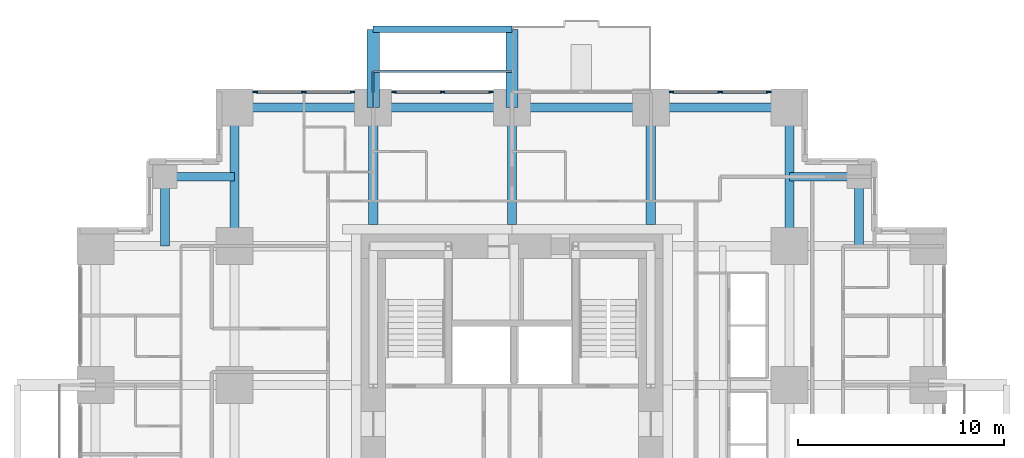
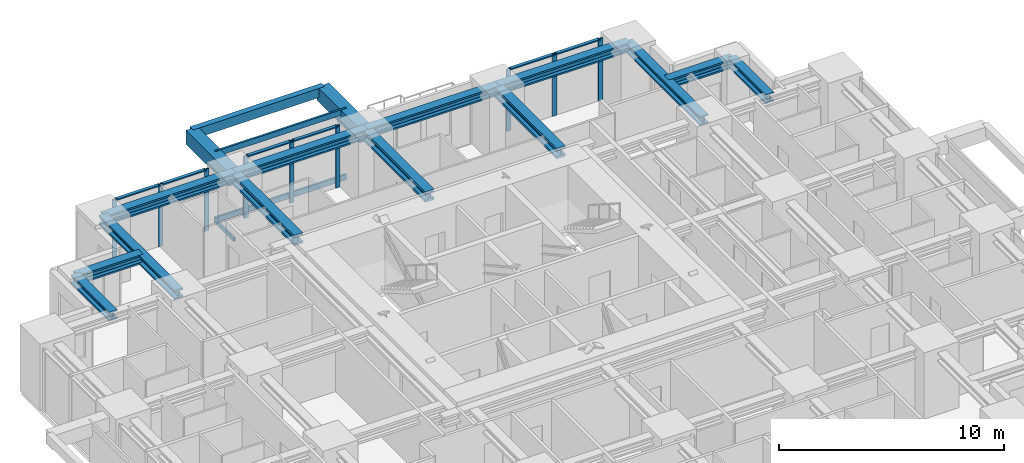
# One storey, part 5 of 12: 18 members, 16 beams, 3 elements without a shape of their own.
"""IFC4 building model written with IfcOpenShell, lengths in metres."""

from ifc_helpers import new_model, si_unit, direction, frame, origin, origin_2d, place, context, subcontext, project, spatial, rectangle, hollow_rectangle, i_section, extrude, material, material_profile, profile_set, type_object, element, aggregate, save


model = new_model("IFC4")

# Units and contexts
model_context = context("Model", 3, precision=1e-05, world=origin(), true_north=direction((0.0, 1.0)))
body_context = subcontext(model_context, "Body", "Model", "MODEL_VIEW")
ifc_project = project(units=[si_unit("LENGTHUNIT", "METRE"), si_unit("AREAUNIT", "SQUARE_METRE"), si_unit("VOLUMEUNIT", "CUBIC_METRE"), si_unit("PLANEANGLEUNIT", "RADIAN"), si_unit("MASSUNIT", "GRAM", prefix="KILO")], contexts=[model_context])

# Site, building, storey
site_placement = place(None, origin())
site = spatial("IfcSite", under=ifc_project, at=site_placement, CompositionType="ELEMENT")
building_placement = place(site_placement, origin())
building = spatial("IfcBuilding", under=site, at=building_placement, Name="Nyansa Garden Tower", CompositionType="ELEMENT")
storey_placement = place(building_placement, frame((0.0, 0.0, 98.10009765625)))
storey = spatial("IfcBuildingStorey", under=building, at=storey_placement, Name="L26", CompositionType="ELEMENT", Elevation=98.10009765625)

# Beams
ifc_material_1 = material(Name="Concrete C70/85", Category="concrete")
ifc_material_profile_1 = material_profile(ifc_material_1, rectangle(XDim=0.60009765625, YDim=0.75, at=origin_2d()), Name="RC 600x750")
ifc_profile_set_1 = profile_set([ifc_material_profile_1], Name="Concrete C70/85")
beam_type_1 = type_object("IfcBeamType", Name="Balcony cantilever beam CB1 RC 600x750", PredefinedType="BEAM", material=ifc_profile_set_1)
for number, where, z_axis, x_axis, name in (
    (1, (13.5, 33.75, 2.98486328125), (0.0, 1.0, 0.0), (-1.0, 0.0, 0.0), "Balcony cantilever beam L27"),
    (2, (20.25, 33.75, 2.98486328125), (0.0, 1.0, 0.0), (-1.0, 0.0, 0.0), "Balcony cantilever beam L27"),
):
    element("IfcBeam", number, at=place(storey_placement, frame(where, z_axis=z_axis, x_axis=x_axis)), inside=storey, type_object=beam_type_1, Name=name, PredefinedType="BEAM", context=body_context, shape_type="SweptSolid", body=[
        extrude(rectangle(XDim=0.60009765625, YDim=0.75, at=origin_2d()), origin(), (0.0, 0.0, 1.0), 3.800048828125),
    ])
ifc_material_2 = material(Name="Concrete C70/85", Category="concrete")
ifc_material_profile_2 = material_profile(ifc_material_2, rectangle(XDim=0.300048828125, YDim=0.5, at=origin_2d()), Name="RC 300x500")
ifc_profile_set_2 = profile_set([ifc_material_profile_2], Name="Concrete C70/85")
beam_type_2 = type_object("IfcBeamType", Name="Balcony edge beam BE1 RC 300x500", PredefinedType="BEAM", material=ifc_profile_set_2)
beam_placement = place(storey_placement, frame((13.5, 37.550048828125, 3.10986328125), z_axis=(1.0, 0.0, 0.0), x_axis=(0.0, 1.0, 0.0)))
element("IfcBeam", 3, at=beam_placement, inside=storey, type_object=beam_type_2, Name="Balcony edge beam L27", PredefinedType="BEAM", context=body_context, shape_type="SweptSolid", body=[
    extrude(rectangle(XDim=0.300048828125, YDim=0.5, at=origin_2d()), origin(), (0.0, 0.0, 1.0), 6.75),
])

# Curtain wall, members
ifc_material_3 = material(Name="Black anodised aluminium, dark tinted double glazing", Category="aluminium")
curtain_wall_type = type_object("IfcCurtainWallType", Name="Inner skin curtain wall ISW-B", PredefinedType="USERDEFINED", material=ifc_material_3)
curtain_wall_1_placement = place(storey_placement, origin())
curtain_wall_1 = element("IfcCurtainWall", 4, at=curtain_wall_1_placement, inside=storey, type_object=curtain_wall_type, Name="Inner skin curtain wall L26 N", ObjectType="UNITISED CURTAIN WALL", PredefinedType="USERDEFINED")
ifc_material_4 = material(Name="Black anodised aluminium", Category="aluminium")
ifc_material_profile_3 = material_profile(ifc_material_4, rectangle(XDim=0.06494140625, YDim=0.22509765625, at=origin_2d()), Name="Mullion 225x65")
ifc_profile_set_3 = profile_set([ifc_material_profile_3], Name="Black anodised aluminium")
member_type_1 = type_object("IfcMemberType", Name="Mullion ISW-B 225x65", PredefinedType="MULLION", material=ifc_profile_set_3)
member_1_placement = place(storey_placement, frame((19.237548828125, 34.5, 0.0), z_axis=(0.0, 0.0, 1.0), x_axis=(0.0, -1.0, 0.0)))
member_1 = element("IfcMember", 5, at=member_1_placement, type_object=member_type_1, Name="ISW-B mullion 1", PredefinedType="MULLION", context=body_context, shape_type="SweptSolid", body=[
    extrude(rectangle(XDim=0.06494140625, YDim=0.22509765625, at=origin_2d()), origin(), (0.0, 0.0, 1.0), 3.375),
])
member_2_placement = place(storey_placement, frame((16.875, 34.5, 0.0), z_axis=(0.0, 0.0, 1.0), x_axis=(0.0, -1.0, 0.0)))
member_2 = element("IfcMember", 6, at=member_2_placement, type_object=member_type_1, Name="ISW-B mullion 2", PredefinedType="MULLION", context=body_context, shape_type="SweptSolid", body=[
    extrude(rectangle(XDim=0.06494140625, YDim=0.22509765625, at=origin_2d()), origin(), (0.0, 0.0, 1.0), 3.375),
])
member_3_placement = place(storey_placement, frame((14.512451171875, 34.5, 0.0), z_axis=(0.0, 0.0, 1.0), x_axis=(0.0, -1.0, 0.0)))
member_3 = element("IfcMember", 7, at=member_3_placement, type_object=member_type_1, Name="ISW-B mullion 3", PredefinedType="MULLION", context=body_context, shape_type="SweptSolid", body=[
    extrude(rectangle(XDim=0.06494140625, YDim=0.22509765625, at=origin_2d()), origin(), (0.0, 0.0, 1.0), 3.375),
])

curtain_wall_2_placement = place(storey_placement, origin())
curtain_wall_2 = element("IfcCurtainWall", 8, at=curtain_wall_2_placement, inside=storey, type_object=curtain_wall_type, Name="Inner skin curtain wall L26 N", ObjectType="UNITISED CURTAIN WALL", PredefinedType="USERDEFINED")
member_4_placement = place(storey_placement, frame((12.487548828125, 34.5, 0.0), z_axis=(0.0, 0.0, 1.0), x_axis=(0.0, -1.0, 0.0)))
member_4 = element("IfcMember", 9, at=member_4_placement, type_object=member_type_1, Name="ISW-B mullion 1", PredefinedType="MULLION", context=body_context, shape_type="SweptSolid", body=[
    extrude(rectangle(XDim=0.06494140625, YDim=0.22509765625, at=origin_2d()), origin(), (0.0, 0.0, 1.0), 3.375),
])
member_5_placement = place(storey_placement, frame((10.125, 34.5, 0.0), z_axis=(0.0, 0.0, 1.0), x_axis=(0.0, -1.0, 0.0)))
member_5 = element("IfcMember", 10, at=member_5_placement, type_object=member_type_1, Name="ISW-B mullion 2", PredefinedType="MULLION", context=body_context, shape_type="SweptSolid", body=[
    extrude(rectangle(XDim=0.06494140625, YDim=0.22509765625, at=origin_2d()), origin(), (0.0, 0.0, 1.0), 3.375),
])
member_6_placement = place(storey_placement, frame((7.762451171875, 34.5, 0.0), z_axis=(0.0, 0.0, 1.0), x_axis=(0.0, -1.0, 0.0)))
member_6 = element("IfcMember", 11, at=member_6_placement, type_object=member_type_1, Name="ISW-B mullion 3", PredefinedType="MULLION", context=body_context, shape_type="SweptSolid", body=[
    extrude(rectangle(XDim=0.06494140625, YDim=0.22509765625, at=origin_2d()), origin(), (0.0, 0.0, 1.0), 3.375),
])

curtain_wall_3_placement = place(storey_placement, origin())
curtain_wall_3 = element("IfcCurtainWall", 12, at=curtain_wall_3_placement, inside=storey, type_object=curtain_wall_type, Name="Inner skin curtain wall L26 N", ObjectType="UNITISED CURTAIN WALL", PredefinedType="USERDEFINED")
member_7_placement = place(storey_placement, frame((32.737548828125, 34.5, 0.0), z_axis=(0.0, 0.0, 1.0), x_axis=(0.0, -1.0, 0.0)))
member_7 = element("IfcMember", 13, at=member_7_placement, type_object=member_type_1, Name="ISW-B mullion 1", PredefinedType="MULLION", context=body_context, shape_type="SweptSolid", body=[
    extrude(rectangle(XDim=0.06494140625, YDim=0.22509765625, at=origin_2d()), origin(), (0.0, 0.0, 1.0), 3.375),
])
member_8_placement = place(storey_placement, frame((30.375, 34.5, 0.0), z_axis=(0.0, 0.0, 1.0), x_axis=(0.0, -1.0, 0.0)))
member_8 = element("IfcMember", 14, at=member_8_placement, type_object=member_type_1, Name="ISW-B mullion 2", PredefinedType="MULLION", context=body_context, shape_type="SweptSolid", body=[
    extrude(rectangle(XDim=0.06494140625, YDim=0.22509765625, at=origin_2d()), origin(), (0.0, 0.0, 1.0), 3.375),
])
member_9_placement = place(storey_placement, frame((28.012451171875, 34.5, 0.0), z_axis=(0.0, 0.0, 1.0), x_axis=(0.0, -1.0, 0.0)))
member_9 = element("IfcMember", 15, at=member_9_placement, type_object=member_type_1, Name="ISW-B mullion 3", PredefinedType="MULLION", context=body_context, shape_type="SweptSolid", body=[
    extrude(rectangle(XDim=0.06494140625, YDim=0.22509765625, at=origin_2d()), origin(), (0.0, 0.0, 1.0), 3.375),
])

# Members
ifc_material_5 = material(Name="Steel S355, black powder coated", Category="steel")
ifc_material_profile_4 = material_profile(ifc_material_5, hollow_rectangle(XDim=0.10009765625, YDim=0.199951171875, WallThickness=0.008056640625, at=origin_2d()), Name="RHS 200x100x8")
ifc_profile_set_4 = profile_set([ifc_material_profile_4], Name="Steel S355, black powder coated")
member_type_2 = type_object("IfcMemberType", Name="Outer skin bracket arm RHS 200x100x8", PredefinedType="USERDEFINED", material=ifc_profile_set_4)
member_10_placement = place(storey_placement, frame((13.5, 33.75, -0.375), z_axis=(0.0, 1.0, 0.0), x_axis=(-1.0, 0.0, 0.0)))
element("IfcMember", 16, at=member_10_placement, inside=storey, type_object=member_type_2, Name="Outer skin bracket arm", ObjectType="OUTER SKIN BRACKET", PredefinedType="USERDEFINED", context=body_context, shape_type="SweptSolid", body=[
    extrude(hollow_rectangle(XDim=0.10009765625, YDim=0.199951171875, WallThickness=0.008056640625, at=origin_2d()), origin(), (0.0, 0.0, 1.0), 1.75),
])
ifc_material_6 = material(Name="Steel S355, black powder coated", Category="steel")
ifc_material_profile_5 = material_profile(ifc_material_6, hollow_rectangle(XDim=0.10009765625, YDim=0.300048828125, WallThickness=0.010009765625, at=origin_2d()), Name="RHS 300x100x10")
ifc_profile_set_5 = profile_set([ifc_material_profile_5], Name="Steel S355, black powder coated")
member_type_3 = type_object("IfcMemberType", Name="Outer skin rail RHS 300x100x10", PredefinedType="USERDEFINED", material=ifc_profile_set_5)
for number, where, z_axis, x_axis, name in (
    (17, (13.5, 35.5, -0.375), (1.0, 0.0, 0.0), (0.0, 1.0, 0.0), "Outer skin rail L26"),
    (18, (13.5, 35.5, 3.224853515625), (1.0, 0.0, 0.0), (0.0, 1.0, 0.0), "Outer skin rail L26 head"),
):
    element("IfcMember", number, at=place(storey_placement, frame(where, z_axis=z_axis, x_axis=x_axis)), inside=storey, type_object=member_type_3, Name=name, ObjectType="OUTER SKIN RAIL", PredefinedType="USERDEFINED", context=body_context, shape_type="SweptSolid", body=[
        extrude(hollow_rectangle(XDim=0.10009765625, YDim=0.300048828125, WallThickness=0.010009765625, at=origin_2d()), origin(), (0.0, 0.0, 1.0), 6.75),
    ])

# Beams
ifc_material_7 = material(Name="Steel S355", Category="steel")
ifc_material_profile_6 = material_profile(ifc_material_7, i_section(OverallWidth=0.431884765625, OverallDepth=0.498046875, WebThickness=0.0556640625, FlangeThickness=0.0888671875, FilletRadius=0.014892578125, at=origin_2d()), Name="HD 400x744")
ifc_profile_set_6 = profile_set([ifc_material_profile_6], Name="Steel S355")
beam_type_3 = type_object("IfcBeamType", Name="Steel beam SBB1-744 HD 400x744", PredefinedType="BEAM", material=ifc_profile_set_6)
for number, where, z_axis, x_axis, name in (
    (19, (6.75, 27.0, 3.1259765625), (0.0, 1.0, 0.0), (-1.0, 0.0, 0.0), "Steel beam 3/H-3/J L27"),
    (20, (33.75, 27.0, 3.1259765625), (0.0, 1.0, 0.0), (-1.0, 0.0, 0.0), "Steel beam 7/H-7/J L27"),
):
    element("IfcBeam", number, at=place(storey_placement, frame(where, z_axis=z_axis, x_axis=x_axis)), inside=storey, type_object=beam_type_3, Name=name, PredefinedType="BEAM", context=body_context, shape_type="SweptSolid", body=[
        extrude(i_section(OverallWidth=0.431884765625, OverallDepth=0.498046875, WebThickness=0.0556640625, FlangeThickness=0.0888671875, FilletRadius=0.014892578125, at=origin_2d()), origin(), (0.0, 0.0, 1.0), 6.75),
    ])
ifc_material_8 = material(Name="Steel S355", Category="steel")
ifc_material_profile_7 = material_profile(ifc_material_8, i_section(OverallWidth=0.4541015625, OverallDepth=0.569091796875, WebThickness=0.077880859375, FlangeThickness=0.125, FilletRadius=0.014892578125, at=origin_2d()), Name="HD 400x1086")
ifc_profile_set_7 = profile_set([ifc_material_profile_7], Name="Steel S355")
beam_type_4 = type_object("IfcBeamType", Name="Steel beam SCL-1086 HD 400x1086", PredefinedType="BEAM", material=ifc_profile_set_7)
for number, where, z_axis, x_axis, name in (
    (21, (13.5, 28.050048828125, 3.09033203125), (0.0, 1.0, 0.0), (-1.0, 0.0, 0.0), "Steel beam 4/28.050-4/J L27"),
    (22, (20.25, 28.050048828125, 3.09033203125), (0.0, 1.0, 0.0), (-1.0, 0.0, 0.0), "Steel beam 5/28.050-5/J L27"),
    (23, (27.0, 28.050048828125, 3.09033203125), (0.0, 1.0, 0.0), (-1.0, 0.0, 0.0), "Steel beam 6/28.050-6/J L27"),
):
    element("IfcBeam", number, at=place(storey_placement, frame(where, z_axis=z_axis, x_axis=x_axis)), inside=storey, type_object=beam_type_4, Name=name, PredefinedType="BEAM", context=body_context, shape_type="SweptSolid", body=[
        extrude(i_section(OverallWidth=0.4541015625, OverallDepth=0.569091796875, WebThickness=0.077880859375, FlangeThickness=0.125, FilletRadius=0.014892578125, at=origin_2d()), origin(), (0.0, 0.0, 1.0), 5.699951171875),
    ])
ifc_material_9 = material(Name="Steel S355", Category="steel")
ifc_material_profile_8 = material_profile(ifc_material_9, i_section(OverallWidth=0.431884765625, OverallDepth=0.498046875, WebThickness=0.0556640625, FlangeThickness=0.0888671875, FilletRadius=0.014892578125, at=origin_2d()), Name="HD 400x744")
ifc_profile_set_8 = profile_set([ifc_material_profile_8], Name="Steel S355")
beam_type_5 = type_object("IfcBeamType", Name="Steel beam SEBB-744 HD 400x744", PredefinedType="BEAM", material=ifc_profile_set_8)
for number, where, z_axis, x_axis, name in (
    (24, (6.75, 33.75, 3.1259765625), (1.0, 0.0, 0.0), (0.0, 1.0, 0.0), "Steel edge beam 3/J-4/J L27"),
    (25, (13.5, 33.75, 3.1259765625), (1.0, 0.0, 0.0), (0.0, 1.0, 0.0), "Steel edge beam 4/J-5/J L27"),
    (26, (20.25, 33.75, 3.1259765625), (1.0, 0.0, 0.0), (0.0, 1.0, 0.0), "Steel edge beam 5/J-6/J L27"),
    (27, (27.0, 33.75, 3.1259765625), (1.0, 0.0, 0.0), (0.0, 1.0, 0.0), "Steel edge beam 6/J-7/J L27"),
):
    element("IfcBeam", number, at=place(storey_placement, frame(where, z_axis=z_axis, x_axis=x_axis)), inside=storey, type_object=beam_type_5, Name=name, PredefinedType="BEAM", context=body_context, shape_type="SweptSolid", body=[
        extrude(i_section(OverallWidth=0.431884765625, OverallDepth=0.498046875, WebThickness=0.0556640625, FlangeThickness=0.0888671875, FilletRadius=0.014892578125, at=origin_2d()), origin(), (0.0, 0.0, 1.0), 6.75),
    ])
ifc_material_10 = material(Name="Steel S355", Category="steel")
ifc_material_profile_9 = material_profile(ifc_material_10, i_section(OverallWidth=0.431884765625, OverallDepth=0.498046875, WebThickness=0.0556640625, FlangeThickness=0.0888671875, FilletRadius=0.014892578125, at=origin_2d()), Name="HD 400x744")
ifc_profile_set_9 = profile_set([ifc_material_profile_9], Name="Steel S355")
beam_type_6 = type_object("IfcBeamType", Name="Steel beam SSB1-744 HD 400x744", PredefinedType="BEAM", material=ifc_profile_set_9)
for number, where, z_axis, x_axis, name in (
    (28, (37.125, 30.375, 3.1259765625), (0.0, -1.0, 0.0), (1.0, 0.0, 0.0), "Steel step beam 37.125/30.375 L27"),
    (29, (37.125, 30.375, 3.1259765625), (-1.0, 0.0, 0.0), (0.0, -1.0, 0.0), "Steel step beam 37.125/30.375 L27"),
    (30, (3.375, 30.375, 3.1259765625), (0.0, -1.0, 0.0), (1.0, 0.0, 0.0), "Steel step beam 3.375/30.375 L27"),
    (31, (3.375, 30.375, 3.1259765625), (1.0, 0.0, 0.0), (0.0, 1.0, 0.0), "Steel step beam 3.375/30.375 L27"),
):
    element("IfcBeam", number, at=place(storey_placement, frame(where, z_axis=z_axis, x_axis=x_axis)), inside=storey, type_object=beam_type_6, Name=name, PredefinedType="BEAM", context=body_context, shape_type="SweptSolid", body=[
        extrude(i_section(OverallWidth=0.431884765625, OverallDepth=0.498046875, WebThickness=0.0556640625, FlangeThickness=0.0888671875, FilletRadius=0.014892578125, at=origin_2d()), origin(), (0.0, 0.0, 1.0), 3.375),
    ])

# Member
ifc_material_11 = material(Name="Black anodised aluminium", Category="aluminium")
ifc_material_profile_10 = material_profile(ifc_material_11, rectangle(XDim=0.1650390625, YDim=0.06494140625, at=origin_2d()), Name="Transom 165x65")
ifc_profile_set_10 = profile_set([ifc_material_profile_10], Name="Black anodised aluminium")
member_type_4 = type_object("IfcMemberType", Name="Transom ISW-B 165x65", PredefinedType="USERDEFINED", material=ifc_profile_set_10)
member_11_placement = place(storey_placement, frame((19.205078125, 34.5, 3.34228515625), z_axis=(-1.0, 0.0, 0.0), x_axis=(0.0, -1.0, 0.0)))
member_11 = element("IfcMember", 32, at=member_11_placement, type_object=member_type_4, Name="ISW-B transom 1", ObjectType="TRANSOM", PredefinedType="USERDEFINED", context=body_context, shape_type="SweptSolid", body=[
    extrude(rectangle(XDim=0.1650390625, YDim=0.06494140625, at=origin_2d()), origin(), (0.0, 0.0, 1.0), 2.297607421875),
])

member_12_placement = place(storey_placement, frame((16.842529296875, 34.5, 3.34228515625), z_axis=(-1.0, 0.0, 0.0), x_axis=(0.0, -1.0, 0.0)))
member_12 = element("IfcMember", 33, at=member_12_placement, type_object=member_type_4, Name="ISW-B transom 2", ObjectType="TRANSOM", PredefinedType="USERDEFINED", context=body_context, shape_type="SweptSolid", body=[
    extrude(rectangle(XDim=0.1650390625, YDim=0.06494140625, at=origin_2d()), origin(), (0.0, 0.0, 1.0), 2.297607421875),
])

aggregate(curtain_wall_1, [member_1, member_2, member_3, member_11, member_12])

member_13_placement = place(storey_placement, frame((12.455078125, 34.5, 3.34228515625), z_axis=(-1.0, 0.0, 0.0), x_axis=(0.0, -1.0, 0.0)))
member_13 = element("IfcMember", 34, at=member_13_placement, type_object=member_type_4, Name="ISW-B transom 1", ObjectType="TRANSOM", PredefinedType="USERDEFINED", context=body_context, shape_type="SweptSolid", body=[
    extrude(rectangle(XDim=0.1650390625, YDim=0.06494140625, at=origin_2d()), origin(), (0.0, 0.0, 1.0), 2.297607421875),
])

member_14_placement = place(storey_placement, frame((10.092529296875, 34.5, 3.34228515625), z_axis=(-1.0, 0.0, 0.0), x_axis=(0.0, -1.0, 0.0)))
member_14 = element("IfcMember", 35, at=member_14_placement, type_object=member_type_4, Name="ISW-B transom 2", ObjectType="TRANSOM", PredefinedType="USERDEFINED", context=body_context, shape_type="SweptSolid", body=[
    extrude(rectangle(XDim=0.1650390625, YDim=0.06494140625, at=origin_2d()), origin(), (0.0, 0.0, 1.0), 2.297607421875),
])

aggregate(curtain_wall_2, [member_4, member_5, member_6, member_13, member_14])

member_15_placement = place(storey_placement, frame((32.705078125, 34.5, 3.34228515625), z_axis=(-1.0, 0.0, 0.0), x_axis=(0.0, -1.0, 0.0)))
member_15 = element("IfcMember", 36, at=member_15_placement, type_object=member_type_4, Name="ISW-B transom 1", ObjectType="TRANSOM", PredefinedType="USERDEFINED", context=body_context, shape_type="SweptSolid", body=[
    extrude(rectangle(XDim=0.1650390625, YDim=0.06494140625, at=origin_2d()), origin(), (0.0, 0.0, 1.0), 2.297607421875),
])

member_16_placement = place(storey_placement, frame((30.342529296875, 34.5, 3.34228515625), z_axis=(-1.0, 0.0, 0.0), x_axis=(0.0, -1.0, 0.0)))
member_16 = element("IfcMember", 37, at=member_16_placement, type_object=member_type_4, Name="ISW-B transom 2", ObjectType="TRANSOM", PredefinedType="USERDEFINED", context=body_context, shape_type="SweptSolid", body=[
    extrude(rectangle(XDim=0.1650390625, YDim=0.06494140625, at=origin_2d()), origin(), (0.0, 0.0, 1.0), 2.297607421875),
])

aggregate(curtain_wall_3, [member_7, member_8, member_9, member_15, member_16])

save(model, "model.ifc")
